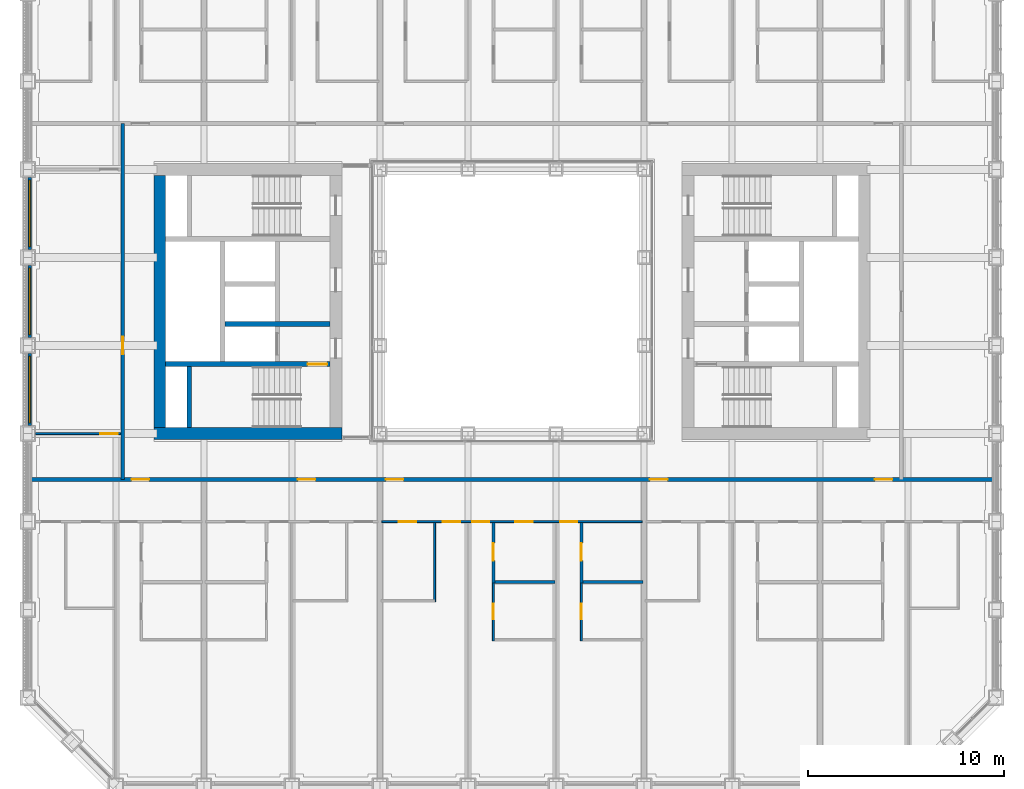
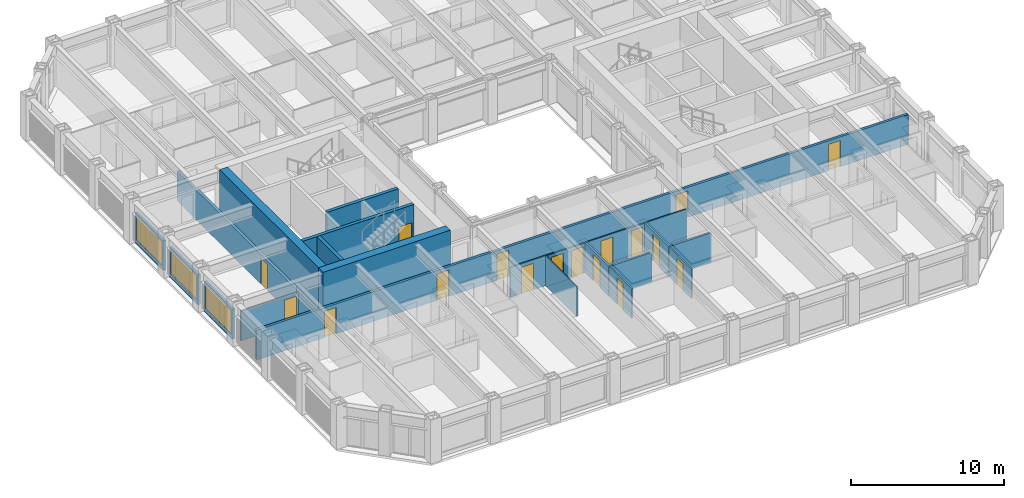
# One storey, part 10 of 21: 19 walls, 17 doors, 3 windows, 20 openings.
"""IFC4 building model written with IfcOpenShell, lengths in metres."""

from ifc_helpers import new_model, si_unit, direction, frame, frame_2d, origin, place, context, subcontext, project, spatial, rectangle, extrude, material, layer, layer_set, type_object, element, fill, save


model = new_model("IFC4")

# Units and contexts
model_context = context("Model", 3, precision=1e-05, world=origin(), true_north=direction((0.0, 1.0)))
body_context = subcontext(model_context, "Body", "Model", "MODEL_VIEW")
ifc_project = project(units=[si_unit("LENGTHUNIT", "METRE"), si_unit("AREAUNIT", "SQUARE_METRE"), si_unit("VOLUMEUNIT", "CUBIC_METRE"), si_unit("PLANEANGLEUNIT", "RADIAN"), si_unit("MASSUNIT", "GRAM", prefix="KILO")], contexts=[model_context])

# Site, building, storey
site_placement = place(None, origin())
site = spatial("IfcSite", under=ifc_project, at=site_placement, CompositionType="ELEMENT")
building_placement = place(site_placement, origin())
building = spatial("IfcBuilding", under=site, at=building_placement, Name="Msasa Ring Tower", CompositionType="ELEMENT")
storey_placement = place(building_placement, frame((0.0, 0.0, 54.5)))
storey = spatial("IfcBuildingStorey", under=building, at=storey_placement, Name="L13", CompositionType="ELEMENT", Elevation=54.5)

# Walls
ifc_material_1 = material(Name="Concrete C60/75", Category="concrete")
ifc_layer_1 = layer(ifc_material_1, 0.60009765625)
ifc_layer_set_1 = layer_set([ifc_layer_1], Name="CW1 CORE WALL 600")
wall_type_1 = type_object("IfcWallType", Name="CW1 CORE WALL 600", PredefinedType="SHEAR", material=ifc_layer_set_1)
wall_1_placement = place(storey_placement, frame((-8.699951171875, -6.75, 0.0), z_axis=(0.0, 0.0, 1.0), x_axis=(-1.0, 0.0, 0.0)))
element("IfcWall", 1, at=wall_1_placement, inside=storey, type_object=wall_type_1, Name="W core wall S L13", PredefinedType="SHEAR", context=body_context, shape_type="SweptSolid", body=[
    extrude(rectangle(XDim=9.60009765625, YDim=0.60009765625, at=frame_2d((4.800048828125, 0.0))), origin(), (0.0, 0.0, 1.0), 3.5),
])
wall_2_placement = place(storey_placement, frame((-18.0, -6.449951171875, 0.0), z_axis=(0.0, 0.0, 1.0), x_axis=(0.0, 1.0, 0.0)))
element("IfcWall", 2, at=wall_2_placement, inside=storey, type_object=wall_type_1, Name="W core wall E L13", PredefinedType="SHEAR", context=body_context, shape_type="SweptSolid", body=[
    extrude(rectangle(XDim=12.89990234375, YDim=0.60009765625, at=frame_2d((6.449951171875, 0.0))), origin(), (0.0, 0.0, 1.0), 3.5),
])

# Wall, opening, door
ifc_material_2 = material(Name="Concrete C60/75", Category="concrete")
ifc_layer_2 = layer(ifc_material_2, 0.25)
ifc_layer_set_2 = layer_set([ifc_layer_2], Name="CW4 CORE INNER WALL 250")
wall_type_2 = type_object("IfcWallType", Name="CW4 CORE INNER WALL 250", PredefinedType="SHEAR", material=ifc_layer_set_2)
wall_3_placement = place(storey_placement, frame((-9.300048828125, -3.199951171875, 0.0), z_axis=(0.0, 0.0, 1.0), x_axis=(-1.0, 0.0, 0.0)))
wall_3 = element("IfcWall", 3, at=wall_3_placement, inside=storey, type_object=wall_type_2, Name="W core wall STAIRA L13", PredefinedType="SHEAR", context=body_context, shape_type="SweptSolid", body=[
    extrude(rectangle(XDim=8.39990234375, YDim=0.25, at=frame_2d((4.199951171875, 0.0))), origin(), (0.0, 0.0, 1.0), 3.5),
])
opening_1_placement = place(wall_3_placement, frame((0.14990234375, 0.0, 0.0)))
opening_1 = element("IfcOpeningElement", 4, at=opening_1_placement, cuts=wall_3, Name="Opening RC-044", PredefinedType="OPENING", context=body_context, shape_type="SweptSolid", body=[
    extrude(rectangle(XDim=1.0, YDim=2.10009765625, at=frame_2d((0.5, 1.050048828125))), frame((0.0, 0.135009765625, 0.0), z_axis=(0.0, -1.0, 0.0), x_axis=(1.0, 0.0, 0.0)), (0.0, 0.0, 1.0), 0.27001953125),
])
ifc_material_3 = material(Name="Timber door leaf in a steel frame", Category="steel")
door_type_1 = type_object("IfcDoorType", Name="D6 STAIR DOOR 1000x2100", OperationType="SINGLE_SWING_LEFT", PredefinedType="DOOR", material=ifc_material_3)
door_1_placement = place(opening_1_placement, origin())
door_1 = element("IfcDoor", 5, at=door_1_placement, inside=storey, type_object=door_type_1, Name="Door L13-WSTA", OperationType="SINGLE_SWING_LEFT", OverallHeight=2.10009765625, OverallWidth=1.0, PredefinedType="DOOR", context=body_context, shape_type="SweptSolid", body=[
    extrude(rectangle(XDim=1.0, YDim=2.10009765625, at=frame_2d((0.5, 1.050048828125))), frame((0.0, 0.02490234375, 0.0), z_axis=(0.0, -1.0, 0.0), x_axis=(1.0, 0.0, 0.0)), (0.0, 0.0, 1.0), 0.050048828125),
])
fill(opening_1, door_1)

# Walls
wall_4_placement = place(storey_placement, frame((-16.5, -6.449951171875, 0.0), z_axis=(0.0, 0.0, 1.0), x_axis=(0.0, 1.0, 0.0)))
element("IfcWall", 6, at=wall_4_placement, inside=storey, type_object=wall_type_2, Name="W core wall RISERA L13", PredefinedType="SHEAR", context=body_context, shape_type="SweptSolid", body=[
    extrude(rectangle(XDim=3.125, YDim=0.25, at=frame_2d((1.5625, 0.0))), origin(), (0.0, 0.0, 1.0), 3.5),
])
wall_5_placement = place(storey_placement, frame((-9.300048828125, -1.14990234375, 0.0), z_axis=(0.0, 0.0, 1.0), x_axis=(-1.0, 0.0, 0.0)))
element("IfcWall", 7, at=wall_5_placement, inside=storey, type_object=wall_type_2, Name="W core wall FFL L13", PredefinedType="SHEAR", context=body_context, shape_type="SweptSolid", body=[
    extrude(rectangle(XDim=5.375, YDim=0.25, at=frame_2d((2.6875, 0.0))), origin(), (0.0, 0.0, 1.0), 3.5),
])

# Wall, opening, window
ifc_material_4 = material(Name="Terracotta rainscreen on blockwork", Category="masonry")
ifc_layer_3 = layer(ifc_material_4, 0.199951171875)
ifc_layer_set_3 = layer_set([ifc_layer_3], Name="FW1 TERRACOTTA-LINED INFILL BAY WALL 200")
wall_type_3 = type_object("IfcWallType", Name="FW1 TERRACOTTA-LINED INFILL BAY WALL 200", PredefinedType="SOLIDWALL", material=ifc_layer_set_3)
wall_6_placement = place(storey_placement, frame((-24.64990234375, -6.344970703125, 0.0), z_axis=(0.0, 0.0, 1.0), x_axis=(0.0, 1.0, 0.0)))
wall_6 = element("IfcWall", 8, at=wall_6_placement, inside=storey, type_object=wall_type_3, Name="Infill bay wall W L13 36", PredefinedType="SOLIDWALL", context=body_context, shape_type="SweptSolid", body=[
    extrude(rectangle(XDim=3.68994140625, YDim=0.199951171875, at=frame_2d((1.844970703125, 0.0))), origin(), (0.0, 0.0, 1.0), 2.37890625),
])
opening_2_placement = place(wall_6_placement, frame((0.14501953125, 0.0, 0.300048828125)))
opening_2 = element("IfcOpeningElement", 9, at=opening_2_placement, cuts=wall_6, Name="Opening WN1", PredefinedType="OPENING", context=body_context, shape_type="SweptSolid", body=[
    extrude(rectangle(XDim=3.39990234375, YDim=1.928955078125, at=frame_2d((1.699951171875, 0.96435546875))), frame((0.0, 0.10986328125, 0.0), z_axis=(0.0, -1.0, 0.0), x_axis=(1.0, 0.0, 0.0)), (0.0, 0.0, 1.0), 0.219970703125),
])
ifc_material_5 = material(Name="Aluminium frame with clear glass", Category="aluminium")
window_type = type_object("IfcWindowType", Name="WN1 RESIDENCE WINDOW 3400x1929", PartitioningType="SINGLE_PANEL", PredefinedType="WINDOW", material=ifc_material_5)
window_1_placement = place(opening_2_placement, origin())
window_1 = element("IfcWindow", 10, at=window_1_placement, inside=storey, type_object=window_type, Name="Window W L13 36", OverallHeight=1.928955078125, OverallWidth=3.39990234375, PartitioningType="SINGLE_PANEL", PredefinedType="WINDOW", context=body_context, shape_type="SweptSolid", body=[
    extrude(rectangle(XDim=3.39990234375, YDim=1.928955078125, at=frame_2d((1.699951171875, 0.96435546875))), frame((0.0, 0.030029296875, 0.0), z_axis=(0.0, -1.0, 0.0), x_axis=(1.0, 0.0, 0.0)), (0.0, 0.0, 1.0), 0.06005859375),
])
fill(opening_2, window_1)

wall_7_placement = place(storey_placement, frame((-24.64990234375, -1.844970703125, 0.0), z_axis=(0.0, 0.0, 1.0), x_axis=(0.0, 1.0, 0.0)))
wall_7 = element("IfcWall", 11, at=wall_7_placement, inside=storey, type_object=wall_type_3, Name="Infill bay wall W L13 37", PredefinedType="SOLIDWALL", context=body_context, shape_type="SweptSolid", body=[
    extrude(rectangle(XDim=3.68994140625, YDim=0.199951171875, at=frame_2d((1.844970703125, 0.0))), origin(), (0.0, 0.0, 1.0), 2.37890625),
])
opening_3_placement = place(wall_7_placement, frame((0.14501953125, 0.0, 0.300048828125)))
opening_3 = element("IfcOpeningElement", 12, at=opening_3_placement, cuts=wall_7, Name="Opening WN1", PredefinedType="OPENING", context=body_context, shape_type="SweptSolid", body=[
    extrude(rectangle(XDim=3.39990234375, YDim=1.928955078125, at=frame_2d((1.699951171875, 0.96435546875))), frame((0.0, 0.10986328125, 0.0), z_axis=(0.0, -1.0, 0.0), x_axis=(1.0, 0.0, 0.0)), (0.0, 0.0, 1.0), 0.219970703125),
])
window_2_placement = place(opening_3_placement, origin())
window_2 = element("IfcWindow", 13, at=window_2_placement, inside=storey, type_object=window_type, Name="Window W L13 37", OverallHeight=1.928955078125, OverallWidth=3.39990234375, PartitioningType="SINGLE_PANEL", PredefinedType="WINDOW", context=body_context, shape_type="SweptSolid", body=[
    extrude(rectangle(XDim=3.39990234375, YDim=1.928955078125, at=frame_2d((1.699951171875, 0.96435546875))), frame((0.0, 0.030029296875, 0.0), z_axis=(0.0, -1.0, 0.0), x_axis=(1.0, 0.0, 0.0)), (0.0, 0.0, 1.0), 0.06005859375),
])
fill(opening_3, window_2)

wall_8_placement = place(storey_placement, frame((-24.64990234375, 2.655029296875, 0.0), z_axis=(0.0, 0.0, 1.0), x_axis=(0.0, 1.0, 0.0)))
wall_8 = element("IfcWall", 14, at=wall_8_placement, inside=storey, type_object=wall_type_3, Name="Infill bay wall W L13 38", PredefinedType="SOLIDWALL", context=body_context, shape_type="SweptSolid", body=[
    extrude(rectangle(XDim=3.68994140625, YDim=0.199951171875, at=frame_2d((1.844970703125, 0.0))), origin(), (0.0, 0.0, 1.0), 2.37890625),
])
opening_4_placement = place(wall_8_placement, frame((0.14501953125, 0.0, 0.300048828125)))
opening_4 = element("IfcOpeningElement", 15, at=opening_4_placement, cuts=wall_8, Name="Opening WN1", PredefinedType="OPENING", context=body_context, shape_type="SweptSolid", body=[
    extrude(rectangle(XDim=3.39990234375, YDim=1.928955078125, at=frame_2d((1.699951171875, 0.96435546875))), frame((0.0, 0.10986328125, 0.0), z_axis=(0.0, -1.0, 0.0), x_axis=(1.0, 0.0, 0.0)), (0.0, 0.0, 1.0), 0.219970703125),
])
window_3_placement = place(opening_4_placement, origin())
window_3 = element("IfcWindow", 16, at=window_3_placement, inside=storey, type_object=window_type, Name="Window W L13 38", OverallHeight=1.928955078125, OverallWidth=3.39990234375, PartitioningType="SINGLE_PANEL", PredefinedType="WINDOW", context=body_context, shape_type="SweptSolid", body=[
    extrude(rectangle(XDim=3.39990234375, YDim=1.928955078125, at=frame_2d((1.699951171875, 0.96435546875))), frame((0.0, 0.030029296875, 0.0), z_axis=(0.0, -1.0, 0.0), x_axis=(1.0, 0.0, 0.0)), (0.0, 0.0, 1.0), 0.06005859375),
])
fill(opening_4, window_3)

# Wall, openings, doors
ifc_material_6 = material(Name="Concrete blockwork", Category="masonry")
ifc_layer_4 = layer(ifc_material_6, 0.199951171875)
ifc_layer_set_4 = layer_set([ifc_layer_4], Name="PT1 CORRIDOR WALL 200")
wall_type_4 = type_object("IfcWallType", Name="PT1 CORRIDOR WALL 200", PredefinedType="PARTITIONING", material=ifc_layer_set_4)
wall_9_placement = place(storey_placement, frame((-24.550048828125, -9.10009765625, 0.0), z_axis=(0.0, 0.0, 1.0), x_axis=(1.0, 0.0, 0.0)))
wall_9 = element("IfcWall", 17, at=wall_9_placement, inside=storey, type_object=wall_type_4, Name="Corridor wall L13-CORRS0", PredefinedType="PARTITIONING", context=body_context, shape_type="SweptSolid", body=[
    extrude(rectangle(XDim=49.10009765625, YDim=0.199951171875, at=frame_2d((24.550048828125, 0.0))), origin(), (0.0, 0.0, 1.0), 2.373291015625),
])
opening_5_placement = place(wall_9_placement, frame((5.10009765625, 0.0, 0.0)))
opening_5 = element("IfcOpeningElement", 18, at=opening_5_placement, cuts=wall_9, Name="Opening RC-048", PredefinedType="OPENING", context=body_context, shape_type="SweptSolid", body=[
    extrude(rectangle(XDim=0.89990234375, YDim=2.10009765625, at=frame_2d((0.449951171875, 1.050048828125))), frame((0.0, 0.10986328125, 0.0), z_axis=(0.0, -1.0, 0.0), x_axis=(1.0, 0.0, 0.0)), (0.0, 0.0, 1.0), 0.219970703125),
])
opening_6_placement = place(wall_9_placement, frame((13.60009765625, 0.0, 0.0)))
opening_6 = element("IfcOpeningElement", 19, at=opening_6_placement, cuts=wall_9, Name="Opening RC-049", PredefinedType="OPENING", context=body_context, shape_type="SweptSolid", body=[
    extrude(rectangle(XDim=0.89990234375, YDim=2.10009765625, at=frame_2d((0.449951171875, 1.050048828125))), frame((0.0, 0.10986328125, 0.0), z_axis=(0.0, -1.0, 0.0), x_axis=(1.0, 0.0, 0.0)), (0.0, 0.0, 1.0), 0.219970703125),
])
opening_7_placement = place(wall_9_placement, frame((18.10009765625, 0.0, 0.0)))
opening_7 = element("IfcOpeningElement", 20, at=opening_7_placement, cuts=wall_9, Name="Opening RC-050", PredefinedType="OPENING", context=body_context, shape_type="SweptSolid", body=[
    extrude(rectangle(XDim=0.89990234375, YDim=2.10009765625, at=frame_2d((0.449951171875, 1.050048828125))), frame((0.0, 0.10986328125, 0.0), z_axis=(0.0, -1.0, 0.0), x_axis=(1.0, 0.0, 0.0)), (0.0, 0.0, 1.0), 0.219970703125),
])
opening_8_placement = place(wall_9_placement, frame((31.60009765625, 0.0, 0.0)))
opening_8 = element("IfcOpeningElement", 21, at=opening_8_placement, cuts=wall_9, Name="Opening RC-051", PredefinedType="OPENING", context=body_context, shape_type="SweptSolid", body=[
    extrude(rectangle(XDim=0.89990234375, YDim=2.10009765625, at=frame_2d((0.449951171875, 1.050048828125))), frame((0.0, 0.10986328125, 0.0), z_axis=(0.0, -1.0, 0.0), x_axis=(1.0, 0.0, 0.0)), (0.0, 0.0, 1.0), 0.219970703125),
])
opening_9_placement = place(wall_9_placement, frame((43.10009765625, 0.0, 0.0)))
opening_9 = element("IfcOpeningElement", 22, at=opening_9_placement, cuts=wall_9, Name="Opening RC-052", PredefinedType="OPENING", context=body_context, shape_type="SweptSolid", body=[
    extrude(rectangle(XDim=0.89990234375, YDim=2.10009765625, at=frame_2d((0.449951171875, 1.050048828125))), frame((0.0, 0.10986328125, 0.0), z_axis=(0.0, -1.0, 0.0), x_axis=(1.0, 0.0, 0.0)), (0.0, 0.0, 1.0), 0.219970703125),
])
ifc_material_7 = material(Name="Timber door leaf in a steel frame", Category="steel")
door_type_2 = type_object("IfcDoorType", Name="D2 ENTRANCE DOOR 900x2100", OperationType="SINGLE_SWING_LEFT", PredefinedType="DOOR", material=ifc_material_7)
door_2_placement = place(opening_5_placement, origin())
door_2 = element("IfcDoor", 23, at=door_2_placement, inside=storey, type_object=door_type_2, Name="Door L13-US00", OperationType="SINGLE_SWING_LEFT", OverallHeight=2.10009765625, OverallWidth=0.89990234375, PredefinedType="DOOR", context=body_context, shape_type="SweptSolid", body=[
    extrude(rectangle(XDim=0.89990234375, YDim=2.10009765625, at=frame_2d((0.449951171875, 1.050048828125))), frame((0.0, 0.02490234375, 0.0), z_axis=(0.0, -1.0, 0.0), x_axis=(1.0, 0.0, 0.0)), (0.0, 0.0, 1.0), 0.050048828125),
])
fill(opening_5, door_2)
door_3_placement = place(opening_6_placement, origin())
door_3 = element("IfcDoor", 24, at=door_3_placement, inside=storey, type_object=door_type_2, Name="Door L13-US01", OperationType="SINGLE_SWING_LEFT", OverallHeight=2.10009765625, OverallWidth=0.89990234375, PredefinedType="DOOR", context=body_context, shape_type="SweptSolid", body=[
    extrude(rectangle(XDim=0.89990234375, YDim=2.10009765625, at=frame_2d((0.449951171875, 1.050048828125))), frame((0.0, 0.02490234375, 0.0), z_axis=(0.0, -1.0, 0.0), x_axis=(1.0, 0.0, 0.0)), (0.0, 0.0, 1.0), 0.050048828125),
])
fill(opening_6, door_3)
door_4_placement = place(opening_7_placement, origin())
door_4 = element("IfcDoor", 25, at=door_4_placement, inside=storey, type_object=door_type_2, Name="Door L13-US02", OperationType="SINGLE_SWING_LEFT", OverallHeight=2.10009765625, OverallWidth=0.89990234375, PredefinedType="DOOR", context=body_context, shape_type="SweptSolid", body=[
    extrude(rectangle(XDim=0.89990234375, YDim=2.10009765625, at=frame_2d((0.449951171875, 1.050048828125))), frame((0.0, 0.02490234375, 0.0), z_axis=(0.0, -1.0, 0.0), x_axis=(1.0, 0.0, 0.0)), (0.0, 0.0, 1.0), 0.050048828125),
])
fill(opening_7, door_4)
door_5_placement = place(opening_8_placement, origin())
door_5 = element("IfcDoor", 26, at=door_5_placement, inside=storey, type_object=door_type_2, Name="Door L13-US03", OperationType="SINGLE_SWING_RIGHT", OverallHeight=2.10009765625, OverallWidth=0.89990234375, PredefinedType="DOOR", context=body_context, shape_type="SweptSolid", body=[
    extrude(rectangle(XDim=0.89990234375, YDim=2.10009765625, at=frame_2d((0.449951171875, 1.050048828125))), frame((0.0, 0.02490234375, 0.0), z_axis=(0.0, -1.0, 0.0), x_axis=(1.0, 0.0, 0.0)), (0.0, 0.0, 1.0), 0.050048828125),
])
fill(opening_8, door_5)
door_6_placement = place(opening_9_placement, origin())
door_6 = element("IfcDoor", 27, at=door_6_placement, inside=storey, type_object=door_type_2, Name="Door L13-US04", OperationType="SINGLE_SWING_RIGHT", OverallHeight=2.10009765625, OverallWidth=0.89990234375, PredefinedType="DOOR", context=body_context, shape_type="SweptSolid", body=[
    extrude(rectangle(XDim=0.89990234375, YDim=2.10009765625, at=frame_2d((0.449951171875, 1.050048828125))), frame((0.0, 0.02490234375, 0.0), z_axis=(0.0, -1.0, 0.0), x_axis=(1.0, 0.0, 0.0)), (0.0, 0.0, 1.0), 0.050048828125),
])
fill(opening_9, door_6)

# Wall, opening, door
wall_10_placement = place(storey_placement, frame((-19.89990234375, -9.10009765625, 0.0), z_axis=(0.0, 0.0, 1.0), x_axis=(0.0, 1.0, 0.0)))
wall_10 = element("IfcWall", 28, at=wall_10_placement, inside=storey, type_object=wall_type_4, Name="Corridor wall L13-STRW", PredefinedType="PARTITIONING", context=body_context, shape_type="SweptSolid", body=[
    extrude(rectangle(XDim=18.2001953125, YDim=0.199951171875, at=frame_2d((9.10009765625, 0.0))), origin(), (0.0, 0.0, 1.0), 2.373291015625),
])
opening_10_placement = place(wall_10_placement, frame((6.39990234375, 0.0, 0.0)))
opening_10 = element("IfcOpeningElement", 29, at=opening_10_placement, cuts=wall_10, Name="Opening RC-041", PredefinedType="OPENING", context=body_context, shape_type="SweptSolid", body=[
    extrude(rectangle(XDim=0.89990234375, YDim=2.10009765625, at=frame_2d((0.449951171875, 1.050048828125))), frame((0.0, 0.10986328125, 0.0), z_axis=(0.0, -1.0, 0.0), x_axis=(1.0, 0.0, 0.0)), (0.0, 0.0, 1.0), 0.219970703125),
])
door_7_placement = place(opening_10_placement, origin())
door_7 = element("IfcDoor", 30, at=door_7_placement, inside=storey, type_object=door_type_2, Name="Door L13-STW", OperationType="SINGLE_SWING_LEFT", OverallHeight=2.10009765625, OverallWidth=0.89990234375, PredefinedType="DOOR", context=body_context, shape_type="SweptSolid", body=[
    extrude(rectangle(XDim=0.89990234375, YDim=2.10009765625, at=frame_2d((0.449951171875, 1.050048828125))), frame((0.0, 0.02490234375, 0.0), z_axis=(0.0, -1.0, 0.0), x_axis=(1.0, 0.0, 0.0)), (0.0, 0.0, 1.0), 0.050048828125),
])
fill(opening_10, door_7)

# Wall, openings, doors
ifc_material_8 = material(Name="Gypsum board on steel studs", Category="steel")
ifc_layer_5 = layer(ifc_material_8, 0.10009765625)
ifc_layer_set_5 = layer_set([ifc_layer_5], Name="PT2 STUD PARTITION 100")
wall_type_5 = type_object("IfcWallType", Name="PT2 STUD PARTITION 100", PredefinedType="PARTITIONING", material=ifc_layer_set_5)
wall_11_placement = place(storey_placement, frame((-6.64990234375, -11.25, 0.0), z_axis=(0.0, 0.0, 1.0), x_axis=(1.0, 0.0, 0.0)))
wall_11 = element("IfcWall", 31, at=wall_11_placement, inside=storey, type_object=wall_type_5, Name="Partition L13-US02HY", PredefinedType="PARTITIONING", context=body_context, shape_type="SweptSolid", body=[
    extrude(rectangle(XDim=13.2998046875, YDim=0.10009765625, at=frame_2d((6.64990234375, 0.0))), origin(), (0.0, 0.0, 1.0), 2.373291015625),
])
opening_11_placement = place(wall_11_placement, frame((0.85009765625, 0.0, 0.0)))
opening_11 = element("IfcOpeningElement", 32, at=opening_11_placement, cuts=wall_11, Name="Opening RC-061", PredefinedType="OPENING", context=body_context, shape_type="SweptSolid", body=[
    extrude(rectangle(XDim=0.89990234375, YDim=2.10009765625, at=frame_2d((0.449951171875, 1.050048828125))), frame((0.0, 0.06005859375, 0.0), z_axis=(0.0, -1.0, 0.0), x_axis=(1.0, 0.0, 0.0)), (0.0, 0.0, 1.0), 0.1201171875),
])
opening_12_placement = place(wall_11_placement, frame((3.10009765625, 0.0, 0.0)))
opening_12 = element("IfcOpeningElement", 33, at=opening_12_placement, cuts=wall_11, Name="Opening RC-062", PredefinedType="OPENING", context=body_context, shape_type="SweptSolid", body=[
    extrude(rectangle(XDim=0.89990234375, YDim=2.10009765625, at=frame_2d((0.449951171875, 1.050048828125))), frame((0.0, 0.06005859375, 0.0), z_axis=(0.0, -1.0, 0.0), x_axis=(1.0, 0.0, 0.0)), (0.0, 0.0, 1.0), 0.1201171875),
])
opening_13_placement = place(wall_11_placement, frame((4.625, 0.0, 0.0)))
opening_13 = element("IfcOpeningElement", 34, at=opening_13_placement, cuts=wall_11, Name="Opening RC-063", PredefinedType="OPENING", context=body_context, shape_type="SweptSolid", body=[
    extrude(rectangle(XDim=0.85009765625, YDim=2.10009765625, at=frame_2d((0.425048828125, 1.050048828125))), frame((0.0, 0.06005859375, 0.0), z_axis=(0.0, -1.0, 0.0), x_axis=(1.0, 0.0, 0.0)), (0.0, 0.0, 1.0), 0.1201171875),
])
opening_14_placement = place(wall_11_placement, frame((6.820068359375, 0.0, 0.0)))
opening_14 = element("IfcOpeningElement", 35, at=opening_14_placement, cuts=wall_11, Name="Opening RC-064", PredefinedType="OPENING", context=body_context, shape_type="SweptSolid", body=[
    extrude(rectangle(XDim=0.89990234375, YDim=2.10009765625, at=frame_2d((0.449951171875, 1.050048828125))), frame((0.0, 0.06005859375, 0.0), z_axis=(0.0, -1.0, 0.0), x_axis=(1.0, 0.0, 0.0)), (0.0, 0.0, 1.0), 0.1201171875),
])
opening_15_placement = place(wall_11_placement, frame((9.125, 0.0, 0.0)))
opening_15 = element("IfcOpeningElement", 36, at=opening_15_placement, cuts=wall_11, Name="Opening RC-065", PredefinedType="OPENING", context=body_context, shape_type="SweptSolid", body=[
    extrude(rectangle(XDim=0.85009765625, YDim=2.10009765625, at=frame_2d((0.425048828125, 1.050048828125))), frame((0.0, 0.06005859375, 0.0), z_axis=(0.0, -1.0, 0.0), x_axis=(1.0, 0.0, 0.0)), (0.0, 0.0, 1.0), 0.1201171875),
])
ifc_material_9 = material(Name="Timber door leaf in a steel frame", Category="steel")
door_type_3 = type_object("IfcDoorType", Name="D14 BEDROOM DOOR 850x2100", OperationType="SINGLE_SWING_LEFT", PredefinedType="DOOR", material=ifc_material_9)
door_8_placement = place(opening_13_placement, origin())
door_8 = element("IfcDoor", 37, at=door_8_placement, inside=storey, type_object=door_type_3, Name="Door L13-US02R1", OperationType="SINGLE_SWING_LEFT", OverallHeight=2.10009765625, OverallWidth=0.85009765625, PredefinedType="DOOR", context=body_context, shape_type="SweptSolid", body=[
    extrude(rectangle(XDim=0.85009765625, YDim=2.10009765625, at=frame_2d((0.425048828125, 1.050048828125))), frame((0.0, 0.02490234375, 0.0), z_axis=(0.0, -1.0, 0.0), x_axis=(1.0, 0.0, 0.0)), (0.0, 0.0, 1.0), 0.050048828125),
])
fill(opening_13, door_8)
door_9_placement = place(opening_15_placement, origin())
door_9 = element("IfcDoor", 38, at=door_9_placement, inside=storey, type_object=door_type_3, Name="Door L13-US02R2", OperationType="SINGLE_SWING_RIGHT", OverallHeight=2.10009765625, OverallWidth=0.85009765625, PredefinedType="DOOR", context=body_context, shape_type="SweptSolid", body=[
    extrude(rectangle(XDim=0.85009765625, YDim=2.10009765625, at=frame_2d((0.425048828125, 1.050048828125))), frame((0.0, 0.02490234375, 0.0), z_axis=(0.0, -1.0, 0.0), x_axis=(1.0, 0.0, 0.0)), (0.0, 0.0, 1.0), 0.050048828125),
])
fill(opening_15, door_9)
ifc_material_10 = material(Name="Timber door leaf in a steel frame", Category="steel")
door_type_4 = type_object("IfcDoorType", Name="D22 INTERNAL HALL DOOR 900x2100", OperationType="SINGLE_SWING_LEFT", PredefinedType="DOOR", material=ifc_material_10)
door_10_placement = place(opening_11_placement, origin())
door_10 = element("IfcDoor", 39, at=door_10_placement, inside=storey, type_object=door_type_4, Name="Door L13-US02K", OperationType="SINGLE_SWING_LEFT", OverallHeight=2.10009765625, OverallWidth=0.89990234375, PredefinedType="DOOR", context=body_context, shape_type="SweptSolid", body=[
    extrude(rectangle(XDim=0.89990234375, YDim=2.10009765625, at=frame_2d((0.449951171875, 1.050048828125))), frame((0.0, 0.02490234375, 0.0), z_axis=(0.0, -1.0, 0.0), x_axis=(1.0, 0.0, 0.0)), (0.0, 0.0, 1.0), 0.050048828125),
])
fill(opening_11, door_10)
door_11_placement = place(opening_12_placement, origin())
door_11 = element("IfcDoor", 40, at=door_11_placement, inside=storey, type_object=door_type_4, Name="Door L13-US02L", OperationType="SINGLE_SWING_LEFT", OverallHeight=2.10009765625, OverallWidth=0.89990234375, PredefinedType="DOOR", context=body_context, shape_type="SweptSolid", body=[
    extrude(rectangle(XDim=0.89990234375, YDim=2.10009765625, at=frame_2d((0.449951171875, 1.050048828125))), frame((0.0, 0.02490234375, 0.0), z_axis=(0.0, -1.0, 0.0), x_axis=(1.0, 0.0, 0.0)), (0.0, 0.0, 1.0), 0.050048828125),
])
fill(opening_12, door_11)
ifc_material_11 = material(Name="Timber door leaf in a steel frame", Category="steel")
door_type_5 = type_object("IfcDoorType", Name="D3 BATHROOM DOOR 900x2100", OperationType="SINGLE_SWING_LEFT", PredefinedType="DOOR", material=ifc_material_11)
door_12_placement = place(opening_14_placement, origin())
door_12 = element("IfcDoor", 41, at=door_12_placement, inside=storey, type_object=door_type_5, Name="Door L13-US02BH1", OperationType="SINGLE_SWING_RIGHT", OverallHeight=2.10009765625, OverallWidth=0.89990234375, PredefinedType="DOOR", context=body_context, shape_type="SweptSolid", body=[
    extrude(rectangle(XDim=0.89990234375, YDim=2.10009765625, at=frame_2d((0.449951171875, 1.050048828125))), frame((0.0, 0.02490234375, 0.0), z_axis=(0.0, -1.0, 0.0), x_axis=(1.0, 0.0, 0.0)), (0.0, 0.0, 1.0), 0.050048828125),
])
fill(opening_14, door_12)

# Wall
wall_12_placement = place(storey_placement, frame((-3.949951171875, -15.35009765625, 0.0), z_axis=(0.0, 0.0, 1.0), x_axis=(0.0, 1.0, 0.0)))
element("IfcWall", 42, at=wall_12_placement, inside=storey, type_object=wall_type_5, Name="Partition L13-US02KX", PredefinedType="PARTITIONING", context=body_context, shape_type="SweptSolid", body=[
    extrude(rectangle(XDim=4.050048828125, YDim=0.10009765625, at=frame_2d((2.02490234375, 0.0))), origin(), (0.0, 0.0, 1.0), 2.373291015625),
])

# Wall, opening, door
wall_13_placement = place(storey_placement, frame((-0.949951171875, -17.343505859375, 0.0), z_axis=(0.0, 0.0, 1.0), x_axis=(0.0, 1.0, 0.0)))
wall_13 = element("IfcWall", 43, at=wall_13_placement, inside=storey, type_object=wall_type_5, Name="Partition L13-US02WX1", PredefinedType="PARTITIONING", context=body_context, shape_type="SweptSolid", body=[
    extrude(rectangle(XDim=2.943603515625, YDim=0.10009765625, at=frame_2d((1.4716796875, 0.0))), origin(), (0.0, 0.0, 1.0), 2.373291015625),
])
opening_16_placement = place(wall_13_placement, frame((1.0966796875, 0.0, 0.0)))
opening_16 = element("IfcOpeningElement", 44, at=opening_16_placement, cuts=wall_13, Name="Opening RC-082", PredefinedType="OPENING", context=body_context, shape_type="SweptSolid", body=[
    extrude(rectangle(XDim=0.800048828125, YDim=2.10009765625, at=frame_2d((0.39990234375, 1.050048828125))), frame((0.0, 0.06005859375, 0.0), z_axis=(0.0, -1.0, 0.0), x_axis=(1.0, 0.0, 0.0)), (0.0, 0.0, 1.0), 0.1201171875),
])
ifc_material_12 = material(Name="Timber door leaf in a steel frame", Category="steel")
door_type_6 = type_object("IfcDoorType", Name="D60 DRESSING ROOM DOOR 800x2100", OperationType="SINGLE_SWING_LEFT", PredefinedType="DOOR", material=ifc_material_12)
door_13_placement = place(opening_16_placement, origin())
door_13 = element("IfcDoor", 45, at=door_13_placement, inside=storey, type_object=door_type_6, Name="Door L13-US02W1", OperationType="SINGLE_SWING_LEFT", OverallHeight=2.10009765625, OverallWidth=0.800048828125, PredefinedType="DOOR", context=body_context, shape_type="SweptSolid", body=[
    extrude(rectangle(XDim=0.800048828125, YDim=2.10009765625, at=frame_2d((0.39990234375, 1.050048828125))), frame((0.0, 0.02490234375, 0.0), z_axis=(0.0, -1.0, 0.0), x_axis=(1.0, 0.0, 0.0)), (0.0, 0.0, 1.0), 0.050048828125),
])
fill(opening_16, door_13)

wall_14_placement = place(storey_placement, frame((3.550048828125, -17.343505859375, 0.0), z_axis=(0.0, 0.0, 1.0), x_axis=(0.0, 1.0, 0.0)))
wall_14 = element("IfcWall", 46, at=wall_14_placement, inside=storey, type_object=wall_type_5, Name="Partition L13-US02WX2", PredefinedType="PARTITIONING", context=body_context, shape_type="SweptSolid", body=[
    extrude(rectangle(XDim=2.943603515625, YDim=0.10009765625, at=frame_2d((1.4716796875, 0.0))), origin(), (0.0, 0.0, 1.0), 2.373291015625),
])
opening_17_placement = place(wall_14_placement, frame((1.0966796875, 0.0, 0.0)))
opening_17 = element("IfcOpeningElement", 47, at=opening_17_placement, cuts=wall_14, Name="Opening RC-083", PredefinedType="OPENING", context=body_context, shape_type="SweptSolid", body=[
    extrude(rectangle(XDim=0.800048828125, YDim=2.10009765625, at=frame_2d((0.39990234375, 1.050048828125))), frame((0.0, 0.06005859375, 0.0), z_axis=(0.0, -1.0, 0.0), x_axis=(1.0, 0.0, 0.0)), (0.0, 0.0, 1.0), 0.1201171875),
])
door_14_placement = place(opening_17_placement, origin())
door_14 = element("IfcDoor", 48, at=door_14_placement, inside=storey, type_object=door_type_6, Name="Door L13-US02W2", OperationType="SINGLE_SWING_LEFT", OverallHeight=2.10009765625, OverallWidth=0.800048828125, PredefinedType="DOOR", context=body_context, shape_type="SweptSolid", body=[
    extrude(rectangle(XDim=0.800048828125, YDim=2.10009765625, at=frame_2d((0.39990234375, 1.050048828125))), frame((0.0, 0.02490234375, 0.0), z_axis=(0.0, -1.0, 0.0), x_axis=(1.0, 0.0, 0.0)), (0.0, 0.0, 1.0), 0.050048828125),
])
fill(opening_17, door_14)

wall_15_placement = place(storey_placement, frame((-24.35009765625, -6.75, 0.0), z_axis=(0.0, 0.0, 1.0), x_axis=(1.0, 0.0, 0.0)))
wall_15 = element("IfcWall", 49, at=wall_15_placement, inside=storey, type_object=wall_type_5, Name="Partition L13-STWKY", PredefinedType="PARTITIONING", context=body_context, shape_type="SweptSolid", body=[
    extrude(rectangle(XDim=4.35009765625, YDim=0.10009765625, at=frame_2d((2.175048828125, 0.0))), origin(), (0.0, 0.0, 1.0), 2.373291015625),
])
opening_18_placement = place(wall_15_placement, frame((3.300048828125, 0.0, 0.0)))
opening_18 = element("IfcOpeningElement", 50, at=opening_18_placement, cuts=wall_15, Name="Opening RC-046", PredefinedType="OPENING", context=body_context, shape_type="SweptSolid", body=[
    extrude(rectangle(XDim=0.89990234375, YDim=2.10009765625, at=frame_2d((0.449951171875, 1.050048828125))), frame((0.0, 0.06005859375, 0.0), z_axis=(0.0, -1.0, 0.0), x_axis=(1.0, 0.0, 0.0)), (0.0, 0.0, 1.0), 0.1201171875),
])
door_15_placement = place(opening_18_placement, origin())
door_15 = element("IfcDoor", 51, at=door_15_placement, inside=storey, type_object=door_type_4, Name="Door L13-STWK", OperationType="SINGLE_SWING_RIGHT", OverallHeight=2.10009765625, OverallWidth=0.89990234375, PredefinedType="DOOR", context=body_context, shape_type="SweptSolid", body=[
    extrude(rectangle(XDim=0.89990234375, YDim=2.10009765625, at=frame_2d((0.449951171875, 1.050048828125))), frame((0.0, 0.02490234375, 0.0), z_axis=(0.0, -1.0, 0.0), x_axis=(1.0, 0.0, 0.0)), (0.0, 0.0, 1.0), 0.050048828125),
])
fill(opening_18, door_15)

ifc_material_13 = material(Name="Moisture-resistant board on steel studs with a concealed cistern and pipe void, tiled", Category="steel")
ifc_layer_6 = layer(ifc_material_13, 0.14990234375)
ifc_layer_set_6 = layer_set([ifc_layer_6], Name="PT4 BATHROOM WET WALL 150")
wall_type_6 = type_object("IfcWallType", Name="PT4 BATHROOM WET WALL 150", PredefinedType="PARTITIONING", material=ifc_layer_set_6)
wall_16_placement = place(storey_placement, frame((-0.949951171875, -14.39990234375, 0.0), z_axis=(0.0, 0.0, 1.0), x_axis=(0.0, 1.0, 0.0)))
wall_16 = element("IfcWall", 52, at=wall_16_placement, inside=storey, type_object=wall_type_6, Name="Partition L13-US02BX1", PredefinedType="PARTITIONING", context=body_context, shape_type="SweptSolid", body=[
    extrude(rectangle(XDim=3.099853515625, YDim=0.14990234375, at=frame_2d((1.5498046875, 0.0))), origin(), (0.0, 0.0, 1.0), 2.373291015625),
])
opening_19_placement = place(wall_16_placement, frame((1.14990234375, 0.0, 0.0)))
opening_19 = element("IfcOpeningElement", 53, at=opening_19_placement, cuts=wall_16, Name="Opening RC-076", PredefinedType="OPENING", context=body_context, shape_type="SweptSolid", body=[
    extrude(rectangle(XDim=0.89990234375, YDim=2.10009765625, at=frame_2d((0.449951171875, 1.050048828125))), frame((0.0, 0.0849609375, 0.0), z_axis=(0.0, -1.0, 0.0), x_axis=(1.0, 0.0, 0.0)), (0.0, 0.0, 1.0), 0.169921875),
])
door_16_placement = place(opening_19_placement, origin())
door_16 = element("IfcDoor", 54, at=door_16_placement, inside=storey, type_object=door_type_5, Name="Door L13-US02B1", OperationType="SINGLE_SWING_RIGHT", OverallHeight=2.10009765625, OverallWidth=0.89990234375, PredefinedType="DOOR", context=body_context, shape_type="SweptSolid", body=[
    extrude(rectangle(XDim=0.89990234375, YDim=2.10009765625, at=frame_2d((0.449951171875, 1.050048828125))), frame((0.0, 0.02490234375, 0.0), z_axis=(0.0, -1.0, 0.0), x_axis=(1.0, 0.0, 0.0)), (0.0, 0.0, 1.0), 0.050048828125),
])
fill(opening_19, door_16)

# Wall
wall_17_placement = place(storey_placement, frame((-0.949951171875, -14.35009765625, 0.0), z_axis=(0.0, 0.0, 1.0), x_axis=(1.0, 0.0, 0.0)))
element("IfcWall", 55, at=wall_17_placement, inside=storey, type_object=wall_type_6, Name="Partition L13-US02BY1", PredefinedType="PARTITIONING", context=body_context, shape_type="SweptSolid", body=[
    extrude(rectangle(XDim=3.14990234375, YDim=0.14990234375, at=frame_2d((1.574951171875, 0.0))), origin(), (0.0, 0.0, 1.0), 2.373291015625),
])

# Wall, opening, door
wall_18_placement = place(storey_placement, frame((3.550048828125, -14.39990234375, 0.0), z_axis=(0.0, 0.0, 1.0), x_axis=(0.0, 1.0, 0.0)))
wall_18 = element("IfcWall", 56, at=wall_18_placement, inside=storey, type_object=wall_type_6, Name="Partition L13-US02BX2", PredefinedType="PARTITIONING", context=body_context, shape_type="SweptSolid", body=[
    extrude(rectangle(XDim=3.099853515625, YDim=0.14990234375, at=frame_2d((1.5498046875, 0.0))), origin(), (0.0, 0.0, 1.0), 2.373291015625),
])
opening_20_placement = place(wall_18_placement, frame((1.14990234375, 0.0, 0.0)))
opening_20 = element("IfcOpeningElement", 57, at=opening_20_placement, cuts=wall_18, Name="Opening RC-077", PredefinedType="OPENING", context=body_context, shape_type="SweptSolid", body=[
    extrude(rectangle(XDim=0.89990234375, YDim=2.10009765625, at=frame_2d((0.449951171875, 1.050048828125))), frame((0.0, 0.0849609375, 0.0), z_axis=(0.0, -1.0, 0.0), x_axis=(1.0, 0.0, 0.0)), (0.0, 0.0, 1.0), 0.169921875),
])
door_17_placement = place(opening_20_placement, origin())
door_17 = element("IfcDoor", 58, at=door_17_placement, inside=storey, type_object=door_type_5, Name="Door L13-US02B2", OperationType="SINGLE_SWING_RIGHT", OverallHeight=2.10009765625, OverallWidth=0.89990234375, PredefinedType="DOOR", context=body_context, shape_type="SweptSolid", body=[
    extrude(rectangle(XDim=0.89990234375, YDim=2.10009765625, at=frame_2d((0.449951171875, 1.050048828125))), frame((0.0, 0.02490234375, 0.0), z_axis=(0.0, -1.0, 0.0), x_axis=(1.0, 0.0, 0.0)), (0.0, 0.0, 1.0), 0.050048828125),
])
fill(opening_20, door_17)

# Wall
wall_19_placement = place(storey_placement, frame((3.550048828125, -14.35009765625, 0.0), z_axis=(0.0, 0.0, 1.0), x_axis=(1.0, 0.0, 0.0)))
element("IfcWall", 59, at=wall_19_placement, inside=storey, type_object=wall_type_6, Name="Partition L13-US02BY2", PredefinedType="PARTITIONING", context=body_context, shape_type="SweptSolid", body=[
    extrude(rectangle(XDim=3.139892578125, YDim=0.14990234375, at=frame_2d((1.56982421875, 0.0))), origin(), (0.0, 0.0, 1.0), 2.373291015625),
])

save(model, "model.ifc")
